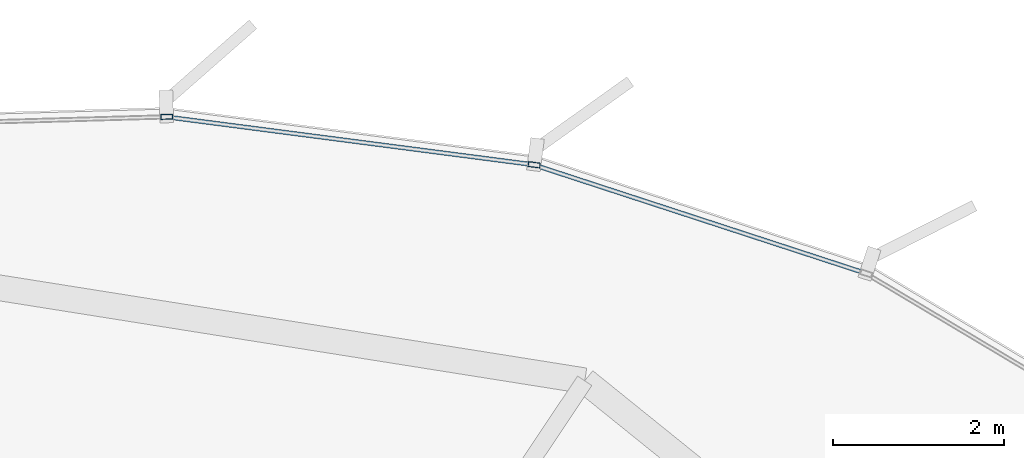
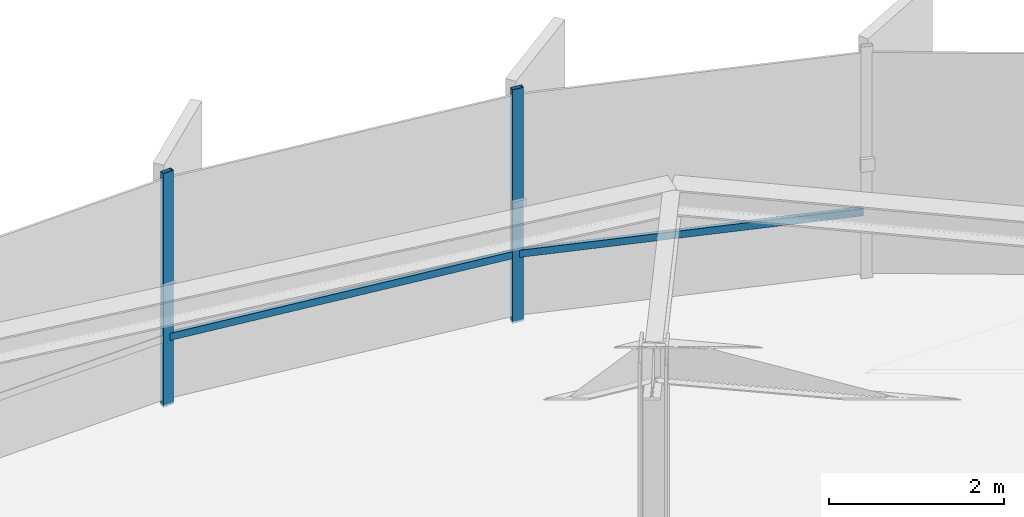
# One storey, part 25 of 34: 4 members, 1 element without a shape of its own.
"""IFC4 building model written with IfcOpenShell, lengths in metres."""

from ifc_helpers import new_model, si_unit, direction, frame, origin, origin_2d, place, context, subcontext, project, spatial, hollow_rectangle, extrude, source, transform, mapped, material, layer, layer_set, material_profile, profile_set, type_object, element, aggregate, save


model = new_model("IFC4")

# Units and contexts
model_context = context("Model", 3, precision=1e-05, world=origin(), true_north=direction((0.0, 1.0)))
body_context = subcontext(model_context, "Body", "Model", "MODEL_VIEW")
ifc_project = project(units=[si_unit("LENGTHUNIT", "METRE"), si_unit("AREAUNIT", "SQUARE_METRE"), si_unit("VOLUMEUNIT", "CUBIC_METRE"), si_unit("PLANEANGLEUNIT", "RADIAN"), si_unit("MASSUNIT", "GRAM", prefix="KILO"), si_unit("THERMODYNAMICTEMPERATUREUNIT", "KELVIN")], contexts=[model_context])

# Site, building, storey
site_placement = place(None, origin())
site = spatial("IfcSite", under=ifc_project, at=site_placement, CompositionType="ELEMENT")
building_placement = place(site_placement, origin())
building = spatial("IfcBuilding", under=site, at=building_placement, Name="Kethvar Cultural Tower", CompositionType="ELEMENT")
storey_placement = place(building_placement, frame((0.0, 0.0, 183.39990234375)))
storey = spatial("IfcBuildingStorey", under=building, at=storey_placement, Name="L47", CompositionType="ELEMENT", Elevation=183.39990234375)

# Curtain wall, members
ifc_material = material(Name="Aluminium 6063-T6", Category="aluminium")
ifc_layer = layer(ifc_material, 0.179931640625, Name="Aluminium 6063-T6", Category="aluminium")
ifc_layer_set = layer_set([ifc_layer], Name="Aluminium 6063-T6 (180 mm)")
curtain_wall_type = type_object("IfcCurtainWallType", Name="CW-SYS-04-Z34", PredefinedType="NOTDEFINED", material=ifc_layer_set)
curtain_wall_placement = place(storey_placement, origin())
curtain_wall = element("IfcCurtainWall", 1, at=curtain_wall_placement, inside=storey, type_object=curtain_wall_type, Name="L47 Curtain Wall Run 01", PredefinedType="NOTDEFINED")
ifc_material_profile_1 = material_profile(ifc_material, hollow_rectangle(XDim=0.06005859375, YDim=0.139892578125, WallThickness=0.0048828125, at=origin_2d()), Name="Aluminium 6063-T6 — RHS140x60x5")
ifc_profile_set_1 = profile_set([ifc_material_profile_1], Name="Aluminium 6063-T6 — RHS140x60x5")
member_type_1 = type_object("IfcMemberType", Name="CW-SYS-04-Z34-MUL", PredefinedType="MULLION", material=ifc_profile_set_1)
shared_shape_1 = source(origin(), body_context, "Body", "SweptSolid", [
    extrude(hollow_rectangle(XDim=0.06005859375, YDim=0.139892578125, WallThickness=0.0048828125, at=origin_2d()), origin(), (0.0, 0.0, 1.0), 3.260009765625),
])
member_1_placement = place(storey_placement, frame((59.934814453125, 50.86572265625, 0.0), z_axis=(0.0, 0.0, 1.0), x_axis=(-0.1291071329, -0.991630651117, 0.0)))
member_1 = element("IfcMember", 2, at=member_1_placement, type_object=member_type_1, Name="CW-L47-R01 Mullion 4", PredefinedType="MULLION", context=body_context, shape_type="MappedRepresentation", body=[
    mapped(shared_shape_1, transform((0.0, 0.0, 0.0), scale=1.0)),
])
member_2_placement = place(storey_placement, frame((55.640380859375, 51.42626953125, 0.0), z_axis=(0.0, 0.0, 1.0), x_axis=(0.028654383641, -0.999589378844, 0.0)))
member_2 = element("IfcMember", 3, at=member_2_placement, type_object=member_type_1, Name="CW-L47-R01 Mullion 5", PredefinedType="MULLION", context=body_context, shape_type="MappedRepresentation", body=[
    mapped(shared_shape_1, transform((0.0, 0.0, 0.0), scale=1.0)),
])
ifc_material_profile_2 = material_profile(ifc_material, hollow_rectangle(XDim=0.050048828125, YDim=0.10009765625, WallThickness=0.00390625, at=origin_2d()), Name="Aluminium 6063-T6 — RHS100x50x4")
ifc_profile_set_2 = profile_set([ifc_material_profile_2], Name="Aluminium 6063-T6 — RHS100x50x4")
member_type_2 = type_object("IfcMemberType", Name="CW-SYS-04-Z34-TRN", PredefinedType="USERDEFINED", material=ifc_profile_set_2)
shared_shape_2 = source(origin(), body_context, "Body", "SweptSolid", [
    extrude(hollow_rectangle(XDim=0.050048828125, YDim=0.10009765625, WallThickness=0.00390625, at=origin_2d()), origin(), (0.0, 0.0, 1.0), 4.017333984375),
])
member_3_placement = place(storey_placement, frame((63.774658203125, 49.609619140625, 0.9501953125), z_axis=(-0.950598137035, 0.310424196649, 0.0), x_axis=(-0.310424196649, -0.950598137035, 0.0)))
member_3 = element("IfcMember", 4, at=member_3_placement, type_object=member_type_2, Name="CW-L47-R01 Transom 3", ObjectType="TRANSOM", PredefinedType="USERDEFINED", context=body_context, shape_type="MappedRepresentation", body=[
    mapped(shared_shape_2, transform((0.0, 0.0, 0.0), scale=1.0)),
])
shared_shape_3 = source(origin(), body_context, "Body", "SweptSolid", [
    extrude(hollow_rectangle(XDim=0.050048828125, YDim=0.10009765625, WallThickness=0.00390625, at=origin_2d()), origin(), (0.0, 0.0, 1.0), 4.26171875),
])
member_4_placement = place(storey_placement, frame((59.89208984375, 50.871337890625, 0.9501953125), z_axis=(-0.991635832157, 0.129067332747, 0.0), x_axis=(-0.129067332747, -0.991635832157, 0.0)))
member_4 = element("IfcMember", 5, at=member_4_placement, type_object=member_type_2, Name="CW-L47-R01 Transom 4", ObjectType="TRANSOM", PredefinedType="USERDEFINED", context=body_context, shape_type="MappedRepresentation", body=[
    mapped(shared_shape_3, transform((0.0, 0.0, 0.0), scale=1.0)),
])
aggregate(curtain_wall, [member_1, member_2, member_3, member_4])

save(model, "model.ifc")
